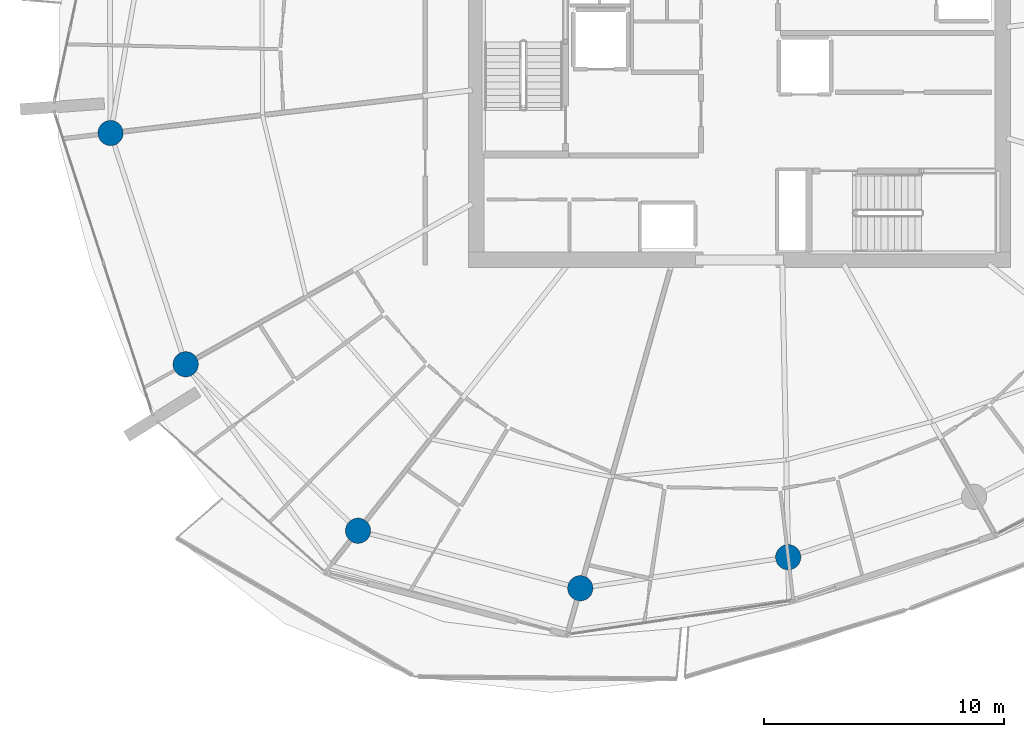
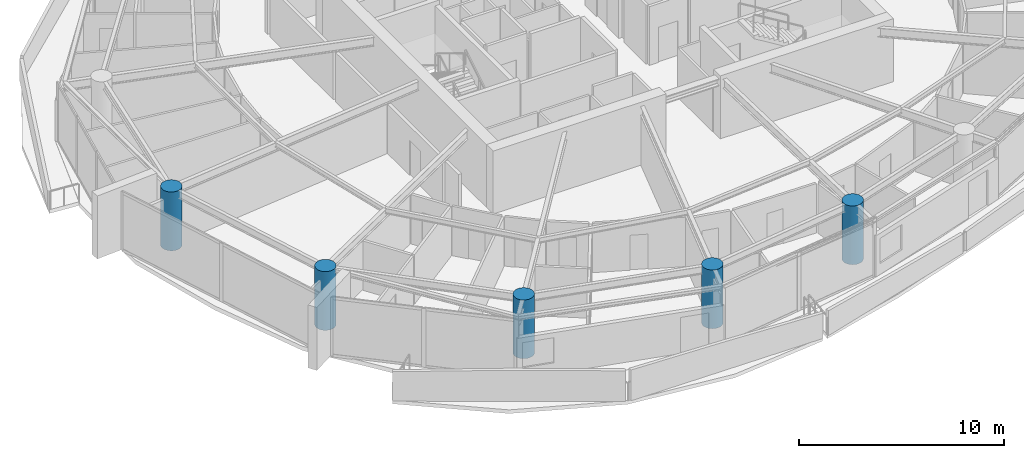
# One storey, part 1 of 21: 5 columns.
"""IFC4 building model written with IfcOpenShell, lengths in metres."""

from ifc_helpers import new_model, si_unit, direction, frame, origin, origin_2d, place, context, subcontext, project, spatial, circle, extrude, material, material_profile, profile_set, type_object, element, save


model = new_model("IFC4")

# Units and contexts
model_context = context("Model", 3, precision=1e-05, world=origin(), true_north=direction((0.0, 1.0)))
body_context = subcontext(model_context, "Body", "Model", "MODEL_VIEW")
ifc_project = project(units=[si_unit("LENGTHUNIT", "METRE"), si_unit("AREAUNIT", "SQUARE_METRE"), si_unit("VOLUMEUNIT", "CUBIC_METRE"), si_unit("PLANEANGLEUNIT", "RADIAN"), si_unit("MASSUNIT", "GRAM", prefix="KILO")], contexts=[model_context])

# Site, building, storey
site_placement = place(None, origin())
site = spatial("IfcSite", under=ifc_project, at=site_placement, CompositionType="ELEMENT")
building_placement = place(site_placement, origin())
building = spatial("IfcBuilding", under=site, at=building_placement, Name="Kazma Halo Residences", CompositionType="ELEMENT")
storey_placement = place(building_placement, frame((0.0, 0.0, 180.300048828125)))
storey = spatial("IfcBuildingStorey", under=building, at=storey_placement, Name="L45", CompositionType="ELEMENT", Elevation=180.300048828125)

# Columns
ifc_material = material(Name="Concrete C80/95", Category="concrete")
ifc_material_profile = material_profile(ifc_material, circle(Radius=0.52490234375, at=origin_2d()), Name="CIRC1050")
ifc_profile_set = profile_set([ifc_material_profile], Name="Concrete C80/95")
column_type = type_object("IfcColumnType", Name="COL-PERIM-1050", PredefinedType="COLUMN", material=ifc_profile_set)
for number, where, z_axis, x_axis, name in (
    (1, (22.248291015625, 38.9521484375, 0.0), (0.0, 0.0, 1.0), (1.0, 0.0, 0.0), "L45 perimeter ring column P08"),
    (2, (25.375, 29.329345703125, 0.0), (0.0, 0.0, 1.0), (1.0, 0.0, 0.0), "L45 perimeter ring column P09"),
    (3, (32.54931640625, 22.401123046875, 0.0), (0.0, 0.0, 1.0), (1.0, 0.0, 0.0), "L45 perimeter ring column P10"),
    (4, (41.797607421875, 20.00830078125, 0.0), (0.0, 0.0, 1.0), (1.0, 0.0, 0.0), "L45 perimeter ring column P11"),
    (5, (50.449951171875, 21.30029296875, 0.0), (0.0, 0.0, 1.0), (1.0, 0.0, 0.0), "L45 perimeter ring column P12"),
):
    element("IfcColumn", number, at=place(storey_placement, frame(where, z_axis=z_axis, x_axis=x_axis)), inside=storey, type_object=column_type, Name=name, PredefinedType="COLUMN", context=body_context, shape_type="SweptSolid", body=[
        extrude(circle(Radius=0.52490234375, at=origin_2d()), origin(), (0.0, 0.0, 1.0), 3.5),
    ])

save(model, "model.ifc")
